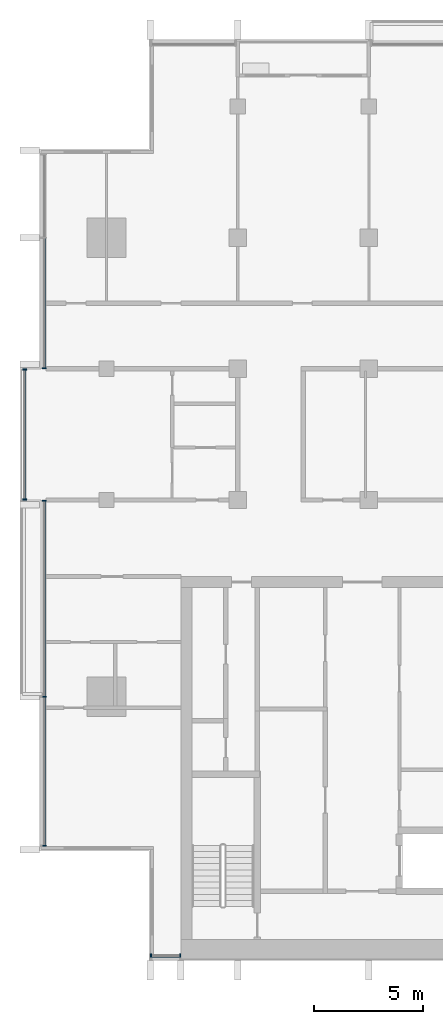
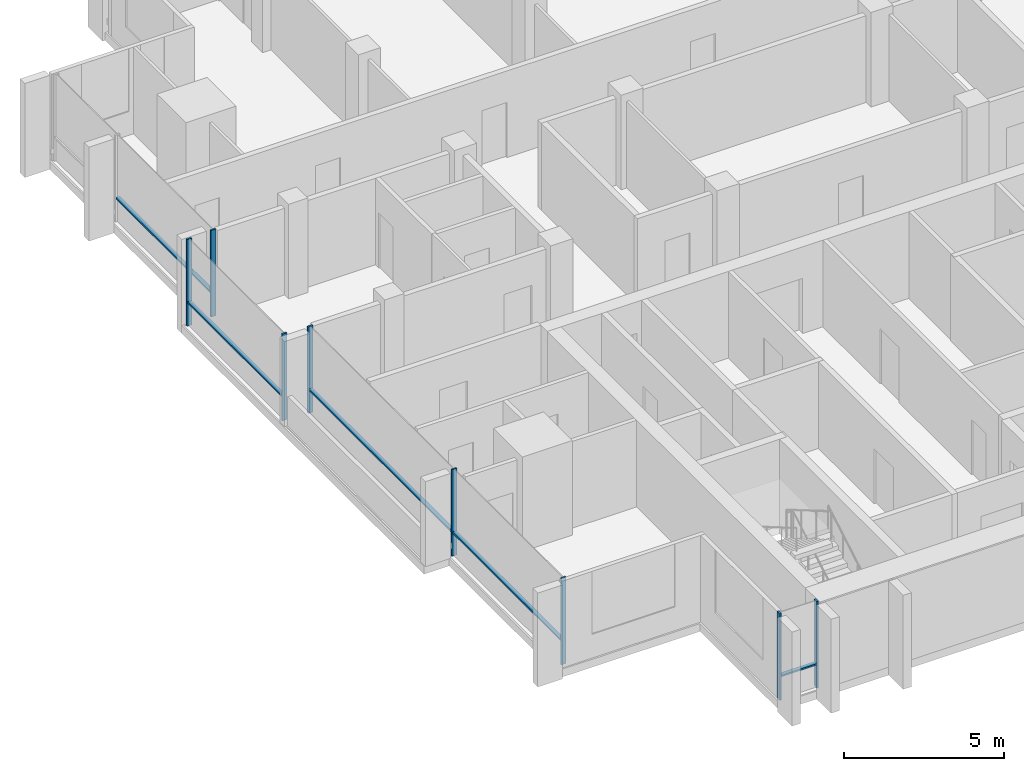
# One storey, part 2 of 15: 13 members, 4 elements without a shape of their own.
"""IFC4 building model written with IfcOpenShell, lengths in metres."""

import ifcopenshell
import ifcopenshell.guid

model = None  # the IFC model being written
_history = None  # IfcOwnerHistory: only IFC2X3 demands one
_inside = {}  # id of a spatial element -> (the spatial element, [elements in it])
_under = {}  # id of a project, library or spatial element -> (it, [spatial elements below it])
_declared = {}  # id of a project -> (the project, [libraries it declares])
_typed = {}  # id of a type object -> (the type object, [elements of that type])
_made_of = {}  # id of a material, layer set ... -> (it, [elements and type objects made of it])


def new_model(schema):
    """Start an empty IFC model of exactly this schema.

    Asked for "IFC4X3", IfcOpenShell would pick the latest addendum, in which some entities
    have other attributes; the version numbers below select the first issue.
    IFC2X3 requires an IfcOwnerHistory on every rooted entity: one is made here for all.
    """
    global model, _history
    if schema == "IFC4X3":
        model = ifcopenshell.file(schema_version=(4, 3, 0, 0))
    else:
        model = ifcopenshell.file(schema=schema)
    _inside.clear()
    _under.clear()
    _declared.clear()
    _typed.clear()
    _made_of.clear()
    _history = None
    if model.schema == "IFC2X3":
        org = make("IfcOrganization", Name="unknown")
        user = make(
            "IfcPersonAndOrganization",
            ThePerson=make("IfcPerson", FamilyName="unknown"),
            TheOrganization=org,
        )
        app = make(
            "IfcApplication",
            ApplicationDeveloper=org,
            Version="unknown",
            ApplicationFullName="unknown",
            ApplicationIdentifier="unknown",
        )
        _history = make(
            "IfcOwnerHistory",
            OwningUser=user,
            OwningApplication=app,
            ChangeAction="ADDED",
            CreationDate=0,
        )
    return model


def make(cls, **values):
    """One entity of the class cls with the attributes given. An attribute that is None is left unset."""
    return model.create_entity(
        cls, **{name: value for name, value in values.items() if value is not None}
    )


def rooted(cls, **values):
    """An entity with a GlobalId (a new one), such as an element, a storey or a relation."""
    return make(cls, GlobalId=ifcopenshell.guid.new(), OwnerHistory=_history, **values)


def si_unit(unit_type, name, prefix=None):
    """IfcSIUnit, for example si_unit("LENGTHUNIT", "METRE", prefix="MILLI")."""
    return make("IfcSIUnit", UnitType=unit_type, Prefix=prefix, Name=name)


def assignment(units):
    """IfcUnitAssignment: the units of a project."""
    return None if units is None else make("IfcUnitAssignment", Units=units)


def point(xyz):
    """IfcCartesianPoint."""
    return None if xyz is None else make("IfcCartesianPoint", Coordinates=xyz)


def direction(xyz):
    """IfcDirection."""
    return None if xyz is None else make("IfcDirection", DirectionRatios=xyz)


def frame(location, z_axis=None, x_axis=None):
    """IfcAxis2Placement3D, a coordinate frame: its origin and axes. An axis left out is left unset."""
    return make(
        "IfcAxis2Placement3D",
        Location=point(location),
        Axis=direction(z_axis),
        RefDirection=direction(x_axis),
    )


def frame_2d(location, x_axis=None):
    """IfcAxis2Placement2D, a coordinate frame in the plane: its origin and x axis."""
    return make(
        "IfcAxis2Placement2D", Location=point(location), RefDirection=direction(x_axis)
    )


def origin():
    """The frame at (0, 0, 0) with its axes left unset."""
    return frame((0.0, 0.0, 0.0))


def origin_2d():
    """The frame at (0, 0) in the plane with its x axis left unset."""
    return frame_2d((0.0, 0.0))


def place(relative_to, where):
    """IfcLocalPlacement: puts the frame where relative to a parent placement (None: the world)."""
    return make(
        "IfcLocalPlacement", PlacementRelTo=relative_to, RelativePlacement=where
    )


def context(
    kind, dimensions, precision=None, world=None, true_north=None, identifier=None
):
    """IfcGeometricRepresentationContext, for example the 3D "Model" context."""
    return make(
        "IfcGeometricRepresentationContext",
        ContextIdentifier=identifier,
        ContextType=kind,
        CoordinateSpaceDimension=dimensions,
        Precision=precision,
        WorldCoordinateSystem=world,
        TrueNorth=true_north,
    )


def subcontext(parent, identifier, kind, view, scale=None):
    """IfcGeometricRepresentationSubContext, for example "Body" below "Model"."""
    return make(
        "IfcGeometricRepresentationSubContext",
        ContextIdentifier=identifier,
        ContextType=kind,
        ParentContext=parent,
        TargetScale=scale,
        TargetView=view,
    )


def project(units=None, contexts=None):
    """IfcProject with its units and contexts."""
    return rooted(
        "IfcProject",
        Name="project",
        RepresentationContexts=contexts,
        UnitsInContext=assignment(units),
    )


def spatial(cls, under=None, at=None, **own):
    """A site, building, storey or space (cls), placed at a placement, below another one or the project."""
    s = rooted(cls, ObjectPlacement=at, **own)
    if under is not None:
        _under.setdefault(under.id(), (under, []))[1].append(s)
    return s


def profile(cls, at=None, kind="AREA", **sizes):
    """A parametric profile (cls). Its sizes go by their IFC names, for example OverallWidth=200.0."""
    return make(cls, ProfileType=kind, Position=at, **sizes)


def rectangle(**sizes):
    """IfcRectangleProfileDef."""
    return profile("IfcRectangleProfileDef", **sizes)


def extrude(swept, where, along, depth):
    """IfcExtrudedAreaSolid: the profile swept, set in the frame where, extruded along a direction by depth."""
    return make(
        "IfcExtrudedAreaSolid",
        SweptArea=swept,
        Position=where,
        ExtrudedDirection=direction(along),
        Depth=depth,
    )


def shape(context_of_items, identifier, shape_type, items):
    """IfcShapeRepresentation: the items that make up one representation, for example the "Body"."""
    return make(
        "IfcShapeRepresentation",
        ContextOfItems=context_of_items,
        RepresentationIdentifier=identifier,
        RepresentationType=shape_type,
        Items=items,
    )


def material(Name=None, Category=None):
    """IfcMaterial."""
    return make("IfcMaterial", Name=Name, Category=Category)


def material_profile(
    of_material, cross_section, Name=None, Category=None, Priority=None
):
    """IfcMaterialProfile: a cross section and its material."""
    return make(
        "IfcMaterialProfile",
        Name=Name,
        Material=of_material,
        Profile=cross_section,
        Priority=Priority,
        Category=Category,
    )


def profile_set(profiles, Name=None, composite=None):
    """IfcMaterialProfileSet."""
    return make(
        "IfcMaterialProfileSet",
        Name=Name,
        MaterialProfiles=profiles,
        CompositeProfile=composite,
    )


def made_of(thing, what):
    """Note that an element or type object is made of a material, layer set ...; save() writes the relation."""
    if what is not None:
        _made_of.setdefault(what.id(), (what, []))[1].append(thing)
    return thing


def type_object(cls, material=None, **own):
    """A type object (cls), such as IfcWallType, which elements share."""
    return made_of(rooted(cls, **own), material)


def element(
    cls,
    number,
    at=None,
    inside=None,
    cuts=None,
    type_object=None,
    material=None,
    context=None,
    identifier="Body",
    shape_type=None,
    held_by="IfcProductDefinitionShape",
    body=None,
    shapes=None,
    **own,
):
    """One element of the class cls, such as IfcWall. Its Tag is "e" and its number.

    at: its placement. inside: the storey or other place that contains it. cuts: it is an
    opening in that element (IfcRelVoidsElement). A single representation is given by context,
    identifier, shape_type and body (its items); several are given by shapes. held_by: the class
    of the entity that holds the representations. save() writes the other relations.
    """
    e = rooted(cls, Tag="e%d" % number, ObjectPlacement=at, **own)
    if body is not None:
        shapes = [shape(context, identifier, shape_type, body)]
    if shapes is not None:
        e.Representation = make(held_by, Representations=shapes)
    if inside is not None:
        _inside.setdefault(inside.id(), (inside, []))[1].append(e)
    if cuts is not None:
        rooted(
            "IfcRelVoidsElement", RelatingBuildingElement=cuts, RelatedOpeningElement=e
        )
    if type_object is not None:
        _typed.setdefault(type_object.id(), (type_object, []))[1].append(e)
    return made_of(e, material)


def aggregate(whole, parts):
    """IfcRelAggregates: a whole, such as a stair, and the parts it consists of."""
    return rooted("IfcRelAggregates", RelatingObject=whole, RelatedObjects=parts)


def save(model, path):
    """Write the relations noted so far, then the file.

    IfcRelAggregates (storeys below a building ...), IfcRelContainedInSpatialStructure (elements
    in a storey), IfcRelDefinesByType, IfcRelAssociatesMaterial and IfcRelDeclares: one each for
    every whole, place, type object, material and project.
    """
    for whole, parts in _under.values():
        aggregate(whole, parts)
    for where, things in _inside.values():
        rooted(
            "IfcRelContainedInSpatialStructure",
            RelatedElements=things,
            RelatingStructure=where,
        )
    for kind, things in _typed.values():
        rooted("IfcRelDefinesByType", RelatedObjects=things, RelatingType=kind)
    for what, things in _made_of.values():
        rooted("IfcRelAssociatesMaterial", RelatedObjects=things, RelatingMaterial=what)
    for by, libraries in _declared.values():
        rooted("IfcRelDeclares", RelatingContext=by, RelatedDefinitions=libraries)
    model.write(path)


model = new_model("IFC4")

# Units and contexts
model_context = context("Model", 3, precision=1e-05, world=origin(), true_north=direction((0.0, 1.0)))
body_context = subcontext(model_context, "Body", "Model", "MODEL_VIEW")
ifc_project = project(units=[si_unit("LENGTHUNIT", "METRE"), si_unit("AREAUNIT", "SQUARE_METRE"), si_unit("VOLUMEUNIT", "CUBIC_METRE"), si_unit("PLANEANGLEUNIT", "RADIAN"), si_unit("MASSUNIT", "GRAM", prefix="KILO")], contexts=[model_context])

# Site, building, storey
site_placement = place(None, origin())
site = spatial("IfcSite", under=ifc_project, at=site_placement, CompositionType="ELEMENT")
building_placement = place(site_placement, origin())
building = spatial("IfcBuilding", under=site, at=building_placement, Name="Finial Court Residences", CompositionType="ELEMENT")
storey_placement = place(building_placement, frame((0.0, 0.0, 269.89990234375)))
storey = spatial("IfcBuildingStorey", under=building, at=storey_placement, Name="L68", CompositionType="ELEMENT", Elevation=269.89990234375)

# Curtain wall, members
ifc_material = material(Name="Bronze anodised aluminium", Category="aluminium")
curtain_wall_type = type_object("IfcCurtainWallType", Name="Unitised curtain wall, upper zones", PredefinedType="NOTDEFINED", material=ifc_material)
curtain_wall_1_placement = place(storey_placement, origin())
curtain_wall_1 = element("IfcCurtainWall", 1, at=curtain_wall_1_placement, inside=storey, type_object=curtain_wall_type, Name="E-L68-CW-S8", PredefinedType="NOTDEFINED")
ifc_material_profile_1 = material_profile(ifc_material, rectangle(XDim=0.175048828125, YDim=0.06005859375, at=origin_2d()), Name="CW2 mullion 60 x 175")
ifc_profile_set_1 = profile_set([ifc_material_profile_1], Name="Bronze anodised aluminium")
member_type_1 = type_object("IfcMemberType", Name="CW2 mullion 60 x 175", PredefinedType="MULLION", material=ifc_profile_set_1)
member_1_placement = place(storey_placement, frame((-14.469970703125, -25.35009765625, 0.0), z_axis=(0.0, 0.0, 1.0), x_axis=(0.0, 1.0, 0.0)))
member_1 = element("IfcMember", 2, at=member_1_placement, type_object=member_type_1, Name="CW2 mullion 1", PredefinedType="MULLION", context=body_context, shape_type="SweptSolid", body=[
    extrude(rectangle(XDim=0.175048828125, YDim=0.06005859375, at=origin_2d()), origin(), (0.0, 0.0, 1.0), 3.300048828125),
])
member_2_placement = place(storey_placement, frame((-13.1298828125, -25.35009765625, 0.0), z_axis=(0.0, 0.0, 1.0), x_axis=(0.0, 1.0, 0.0)))
member_2 = element("IfcMember", 3, at=member_2_placement, type_object=member_type_1, Name="CW2 mullion 2", PredefinedType="MULLION", context=body_context, shape_type="SweptSolid", body=[
    extrude(rectangle(XDim=0.175048828125, YDim=0.06005859375, at=origin_2d()), origin(), (0.0, 0.0, 1.0), 3.300048828125),
])

curtain_wall_2_placement = place(storey_placement, origin())
curtain_wall_2 = element("IfcCurtainWall", 4, at=curtain_wall_2_placement, inside=storey, type_object=curtain_wall_type, Name="E-L68-CW-W10", PredefinedType="NOTDEFINED")
member_3_placement = place(storey_placement, frame((-19.35009765625, -20.320068359375, 0.0), z_axis=(0.0, 0.0, 1.0), x_axis=(-1.0, 0.0, 0.0)))
member_3 = element("IfcMember", 5, at=member_3_placement, type_object=member_type_1, Name="CW2 mullion 1", PredefinedType="MULLION", context=body_context, shape_type="SweptSolid", body=[
    extrude(rectangle(XDim=0.175048828125, YDim=0.06005859375, at=origin_2d()), origin(), (0.0, 0.0, 1.0), 3.300048828125),
])
member_4_placement = place(storey_placement, frame((-19.35009765625, -13.5, 0.0), z_axis=(0.0, 0.0, 1.0), x_axis=(-1.0, 0.0, 0.0)))
member_4 = element("IfcMember", 6, at=member_4_placement, type_object=member_type_1, Name="CW2 mullion 2", PredefinedType="MULLION", context=body_context, shape_type="SweptSolid", body=[
    extrude(rectangle(XDim=0.175048828125, YDim=0.06005859375, at=origin_2d()), origin(), (0.0, 0.0, 1.0), 3.300048828125),
])
member_5_placement = place(storey_placement, frame((-19.35009765625, -4.530029296875, 0.0), z_axis=(0.0, 0.0, 1.0), x_axis=(-1.0, 0.0, 0.0)))
member_5 = element("IfcMember", 7, at=member_5_placement, type_object=member_type_1, Name="CW2 mullion 3", PredefinedType="MULLION", context=body_context, shape_type="SweptSolid", body=[
    extrude(rectangle(XDim=0.175048828125, YDim=0.06005859375, at=origin_2d()), origin(), (0.0, 0.0, 1.0), 3.300048828125),
])

curtain_wall_3_placement = place(storey_placement, origin())
curtain_wall_3 = element("IfcCurtainWall", 8, at=curtain_wall_3_placement, inside=storey, type_object=curtain_wall_type, Name="E-L68-CW-W11", PredefinedType="NOTDEFINED")
member_6_placement = place(storey_placement, frame((-20.25, -4.469970703125, 0.0), z_axis=(0.0, 0.0, 1.0), x_axis=(-1.0, 0.0, 0.0)))
member_6 = element("IfcMember", 9, at=member_6_placement, type_object=member_type_1, Name="CW2 mullion 1", PredefinedType="MULLION", context=body_context, shape_type="SweptSolid", body=[
    extrude(rectangle(XDim=0.175048828125, YDim=0.06005859375, at=origin_2d()), origin(), (0.0, 0.0, 1.0), 3.300048828125),
])
member_7_placement = place(storey_placement, frame((-20.25, 1.469970703125, 0.0), z_axis=(0.0, 0.0, 1.0), x_axis=(-1.0, 0.0, 0.0)))
member_7 = element("IfcMember", 10, at=member_7_placement, type_object=member_type_1, Name="CW2 mullion 2", PredefinedType="MULLION", context=body_context, shape_type="SweptSolid", body=[
    extrude(rectangle(XDim=0.175048828125, YDim=0.06005859375, at=origin_2d()), origin(), (0.0, 0.0, 1.0), 3.300048828125),
])

# Curtain wall, member
curtain_wall_4_placement = place(storey_placement, origin())
curtain_wall_4 = element("IfcCurtainWall", 11, at=curtain_wall_4_placement, inside=storey, type_object=curtain_wall_type, Name="E-L68-CW-W12", PredefinedType="NOTDEFINED")
member_8_placement = place(storey_placement, frame((-19.35009765625, 1.530029296875, 0.0), z_axis=(0.0, 0.0, 1.0), x_axis=(-1.0, 0.0, 0.0)))
member_8 = element("IfcMember", 12, at=member_8_placement, type_object=member_type_1, Name="CW2 mullion 1", PredefinedType="MULLION", context=body_context, shape_type="SweptSolid", body=[
    extrude(rectangle(XDim=0.175048828125, YDim=0.06005859375, at=origin_2d()), origin(), (0.0, 0.0, 1.0), 3.300048828125),
])

# Member
ifc_material_profile_2 = material_profile(ifc_material, rectangle(XDim=0.139892578125, YDim=0.06005859375, at=origin_2d()), Name="CW2 transom 60 x 140")
ifc_profile_set_2 = profile_set([ifc_material_profile_2], Name="Bronze anodised aluminium")
member_type_2 = type_object("IfcMemberType", Name="CW2 transom 60 x 140", PredefinedType="USERDEFINED", material=ifc_profile_set_2)
member_9_placement = place(storey_placement, frame((-14.43994140625, -25.35009765625, 0.900146484375), z_axis=(1.0, 0.0, 0.0), x_axis=(0.0, 1.0, 0.0)))
member_9 = element("IfcMember", 13, at=member_9_placement, type_object=member_type_2, Name="CW2 transom 1.1", ObjectType="TRANSOM", PredefinedType="USERDEFINED", context=body_context, shape_type="SweptSolid", body=[
    extrude(rectangle(XDim=0.139892578125, YDim=0.06005859375, at=origin_2d()), origin(), (0.0, 0.0, 1.0), 1.280029296875),
])

aggregate(curtain_wall_1, [member_1, member_2, member_9])

member_10_placement = place(storey_placement, frame((-19.35009765625, -20.2900390625, 0.900146484375), z_axis=(0.0, 1.0, 0.0), x_axis=(-1.0, 0.0, 0.0)))
member_10 = element("IfcMember", 14, at=member_10_placement, type_object=member_type_2, Name="CW2 transom 1.1", ObjectType="TRANSOM", PredefinedType="USERDEFINED", context=body_context, shape_type="SweptSolid", body=[
    extrude(rectangle(XDim=0.139892578125, YDim=0.06005859375, at=origin_2d()), origin(), (0.0, 0.0, 1.0), 6.760009765625),
])

member_11_placement = place(storey_placement, frame((-19.35009765625, -13.469970703125, 0.900146484375), z_axis=(0.0, 1.0, 0.0), x_axis=(-1.0, 0.0, 0.0)))
member_11 = element("IfcMember", 15, at=member_11_placement, type_object=member_type_2, Name="CW2 transom 2.1", ObjectType="TRANSOM", PredefinedType="USERDEFINED", context=body_context, shape_type="SweptSolid", body=[
    extrude(rectangle(XDim=0.139892578125, YDim=0.06005859375, at=origin_2d()), origin(), (0.0, 0.0, 1.0), 8.909912109375),
])

aggregate(curtain_wall_2, [member_3, member_4, member_5, member_10, member_11])

member_12_placement = place(storey_placement, frame((-20.25, -4.43994140625, 0.900146484375), z_axis=(0.0, 1.0, 0.0), x_axis=(-1.0, 0.0, 0.0)))
member_12 = element("IfcMember", 16, at=member_12_placement, type_object=member_type_2, Name="CW2 transom 1.1", ObjectType="TRANSOM", PredefinedType="USERDEFINED", context=body_context, shape_type="SweptSolid", body=[
    extrude(rectangle(XDim=0.139892578125, YDim=0.06005859375, at=origin_2d()), origin(), (0.0, 0.0, 1.0), 5.8798828125),
])

aggregate(curtain_wall_3, [member_6, member_7, member_12])

member_13_placement = place(storey_placement, frame((-19.35009765625, 1.56005859375, 0.900146484375), z_axis=(0.0, 1.0, 0.0), x_axis=(-1.0, 0.0, 0.0)))
member_13 = element("IfcMember", 17, at=member_13_placement, type_object=member_type_2, Name="CW2 transom 1.1", ObjectType="TRANSOM", PredefinedType="USERDEFINED", context=body_context, shape_type="SweptSolid", body=[
    extrude(rectangle(XDim=0.139892578125, YDim=0.06005859375, at=origin_2d()), origin(), (0.0, 0.0, 1.0), 5.909912109375),
])

aggregate(curtain_wall_4, [member_8, member_13])

save(model, "model.ifc")
